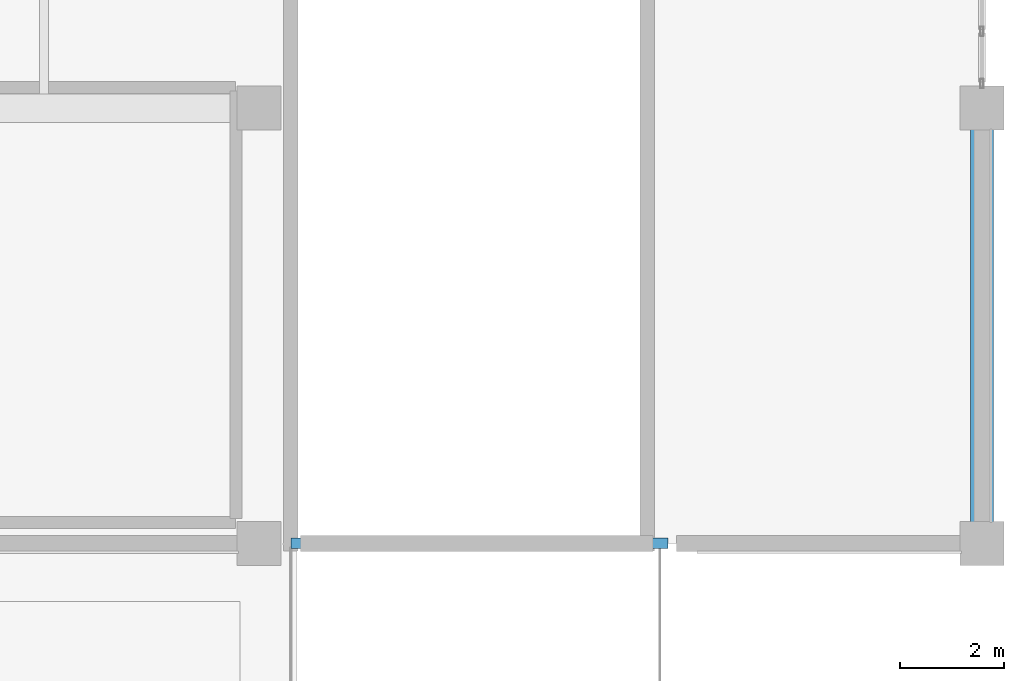
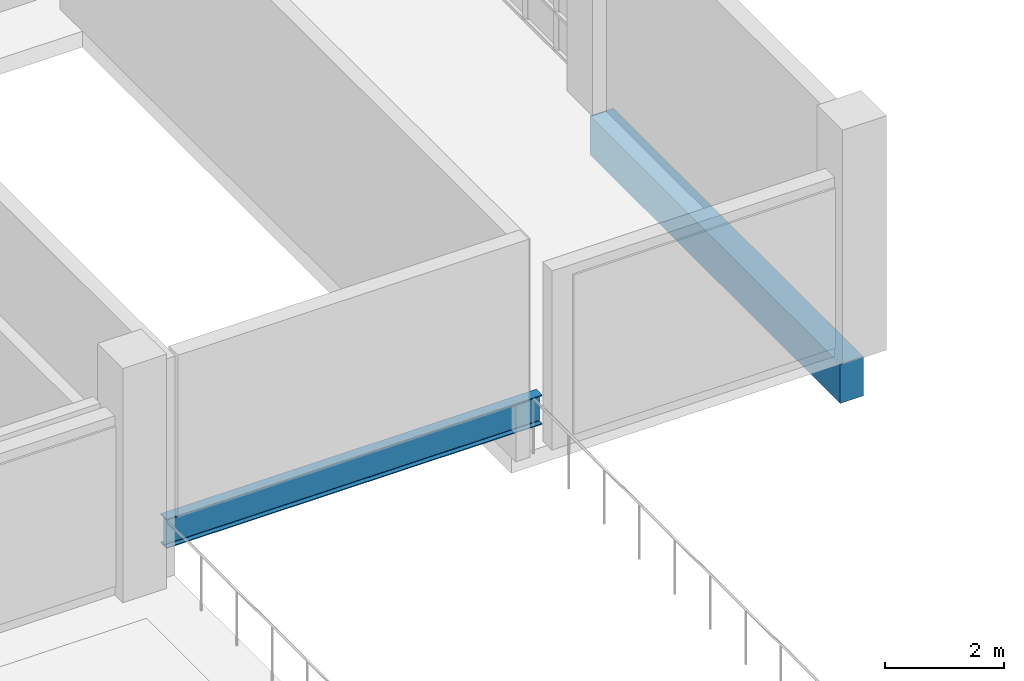
# One storey, part 44 of 97: 2 beams.
"""IFC4 building model written with IfcOpenShell, lengths in metres."""

from ifc_helpers import new_model, si_unit, direction, frame, origin, origin_2d, place, context, subcontext, project, spatial, rectangle, i_section, extrude, material, material_profile, profile_set, type_object, element, save


model = new_model("IFC4")

# Units and contexts
model_context = context("Model", 3, precision=1e-05, world=origin(), true_north=direction((0.0, 1.0)))
body_context = subcontext(model_context, "Body", "Model", "MODEL_VIEW")
ifc_project = project(units=[si_unit("LENGTHUNIT", "METRE"), si_unit("AREAUNIT", "SQUARE_METRE"), si_unit("VOLUMEUNIT", "CUBIC_METRE"), si_unit("PLANEANGLEUNIT", "RADIAN"), si_unit("MASSUNIT", "GRAM", prefix="KILO")], contexts=[model_context])

# Site, building, storey
site_placement = place(None, origin())
site = spatial("IfcSite", under=ifc_project, at=site_placement, CompositionType="ELEMENT")
building_placement = place(site_placement, origin())
building = spatial("IfcBuilding", under=site, at=building_placement, Name="Kisaragi Civic Commons", CompositionType="ELEMENT")
storey_placement = place(building_placement, origin())
storey = spatial("IfcBuildingStorey", under=building, at=storey_placement, Name="L00", CompositionType="ELEMENT", Elevation=0.0)

# Beams
ifc_material_1 = material(Name="Steel SN490 (SN490B)", Category="steel")
ifc_material_profile_1 = material_profile(ifc_material_1, i_section(OverallWidth=0.199951171875, OverallDepth=0.60009765625, WebThickness=0.010986328125, FlangeThickness=0.01708984375, FilletRadius=0.012939453125, at=origin_2d()), Name="H-600x200x11x17", Category="steel")
ifc_profile_set_1 = profile_set([ifc_material_profile_1], Name="Steel SN490 (SN490B)")
beam_type_1 = type_object("IfcBeamType", Name="G-10", PredefinedType="BEAM", material=ifc_profile_set_1)
beam_1_placement = place(storey_placement, frame((159.4599609375, 96.0, 0.85009765625), z_axis=(1.0, 0.0, 0.0), x_axis=(0.0, 1.0, 0.0)))
element("IfcBeam", 1, at=beam_1_placement, inside=storey, type_object=beam_type_1, Name="L00 vehicle ramp portal lintel girder G-10", PredefinedType="BEAM", context=body_context, shape_type="SweptSolid", body=[
    extrude(i_section(OverallWidth=0.199951171875, OverallDepth=0.60009765625, WebThickness=0.010986328125, FlangeThickness=0.01708984375, FilletRadius=0.012939453125, at=origin_2d()), origin(), (0.0, 0.0, 1.0), 7.280029296875),
])
ifc_material_2 = material(Name="Concrete Fc30", Category="concrete")
ifc_material_profile_2 = material_profile(ifc_material_2, rectangle(XDim=0.449951171875, YDim=0.800048828125, at=origin_2d()), Name="RC-450x800", Category="concrete")
ifc_profile_set_2 = profile_set([ifc_material_profile_2], Name="Concrete Fc30")
beam_type_2 = type_object("IfcBeamType", Name="SPB-01", PredefinedType="SPANDREL", material=ifc_profile_set_2)
beam_2_placement = place(storey_placement, frame((172.800048828125, 96.0, -0.72509765625), z_axis=(0.0, 1.0, 0.0), x_axis=(-1.0, 0.0, 0.0)))
element("IfcBeam", 2, at=beam_2_placement, inside=storey, type_object=beam_type_2, Name="L00 girder SPB-01 128", PredefinedType="SPANDREL", context=body_context, shape_type="SweptSolid", body=[
    extrude(rectangle(XDim=0.449951171875, YDim=0.800048828125, at=origin_2d()), origin(), (0.0, 0.0, 1.0), 8.39990234375),
])

save(model, "model.ifc")
